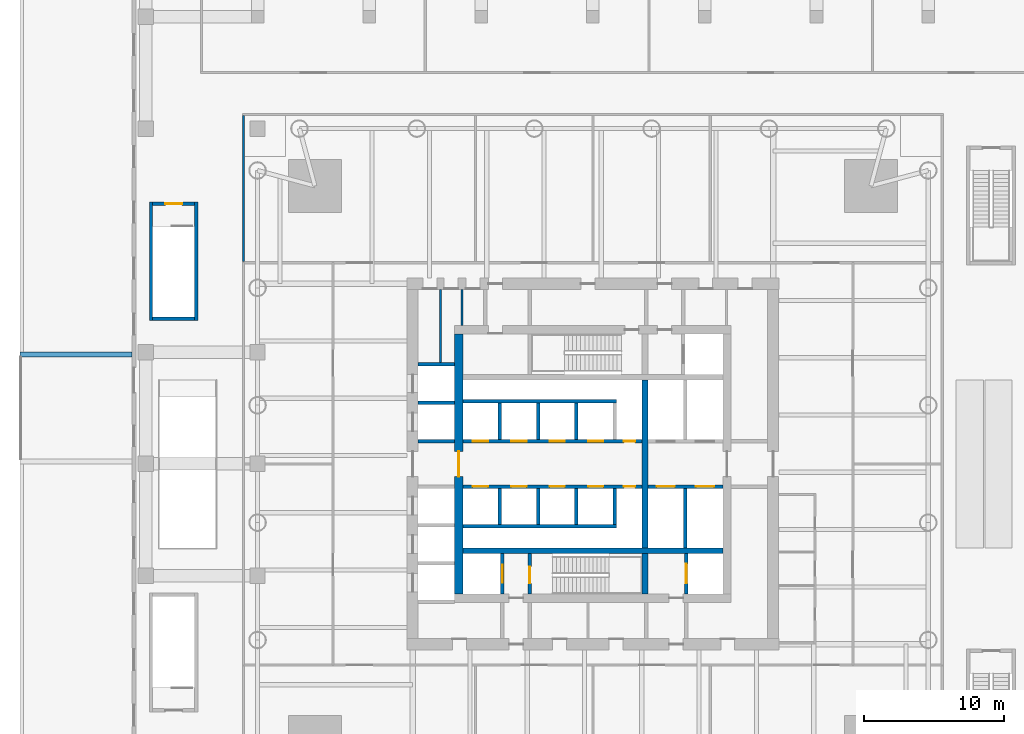
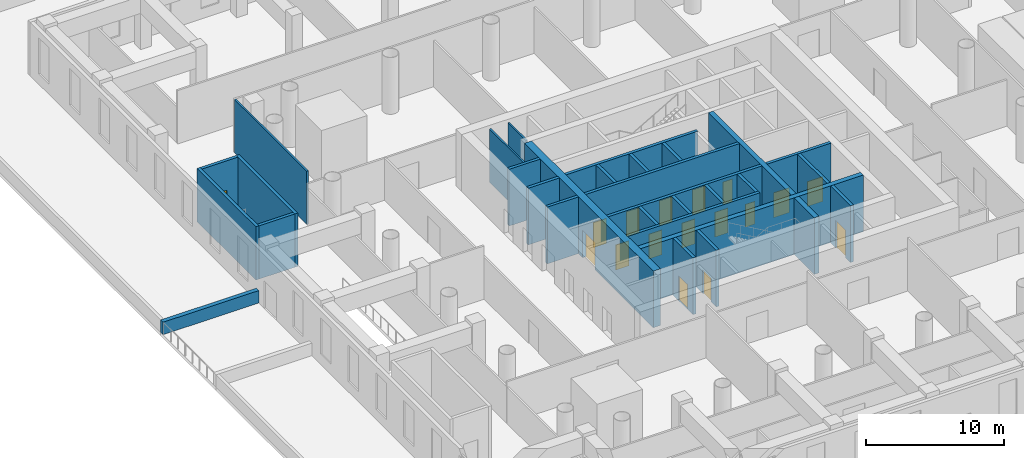
# One storey, part 11 of 26: 31 walls, 17 doors, 17 openings.
"""IFC4 building model written with IfcOpenShell, lengths in metres."""

from ifc_helpers import new_model, si_unit, direction, frame, frame_2d, origin, place, context, subcontext, project, spatial, rectangle, extrude, material, layer, layer_set, type_object, element, fill, save


model = new_model("IFC4")

# Units and contexts
model_context = context("Model", 3, precision=1e-05, world=origin(), true_north=direction((0.0, 1.0)))
body_context = subcontext(model_context, "Body", "Model", "MODEL_VIEW")
ifc_project = project(units=[si_unit("LENGTHUNIT", "METRE"), si_unit("AREAUNIT", "SQUARE_METRE"), si_unit("VOLUMEUNIT", "CUBIC_METRE"), si_unit("PLANEANGLEUNIT", "RADIAN"), si_unit("MASSUNIT", "GRAM", prefix="KILO")], contexts=[model_context])

# Site, building, storey
site_placement = place(None, origin())
site = spatial("IfcSite", under=ifc_project, at=site_placement, CompositionType="ELEMENT")
building_placement = place(site_placement, origin())
building = spatial("IfcBuilding", under=site, at=building_placement, Name="Ostroluk Exchange", CompositionType="ELEMENT")
storey_placement = place(building_placement, frame((0.0, 0.0, 6.0)))
storey = spatial("IfcBuildingStorey", under=building, at=storey_placement, Name="L01", CompositionType="ELEMENT", Elevation=6.0)

# Walls
ifc_material_1 = material(Name="Concrete blockwork", Category="masonry")
ifc_layer_1 = layer(ifc_material_1, 0.14990234375)
ifc_layer_set_1 = layer_set([ifc_layer_1], Name="Blockwork plant room wall 150")
wall_type_1 = type_object("IfcWallType", Name="Blockwork plant room wall 150", PredefinedType="SOLIDWALL", material=ifc_layer_set_1)
wall_1_placement = place(storey_placement, frame((34.089599609375, 53.25, 0.0), z_axis=(0.0, 0.0, 1.0), x_axis=(0.0, 1.0, 0.0)))
element("IfcWall", 1, at=wall_1_placement, inside=storey, type_object=wall_type_1, Name="Core room wall", PredefinedType="SOLIDWALL", context=body_context, shape_type="SweptSolid", body=[
    extrude(rectangle(XDim=5.25, YDim=0.14990234375, at=frame_2d((2.625, 0.0))), origin(), (0.0, 0.0, 1.0), 4.699951171875),
])
wall_2_placement = place(storey_placement, frame((35.63232421875, 55.89990234375, 0.0), z_axis=(0.0, 0.0, 1.0), x_axis=(0.0, 1.0, 0.0)))
element("IfcWall", 2, at=wall_2_placement, inside=storey, type_object=wall_type_1, Name="Core room wall", PredefinedType="SOLIDWALL", context=body_context, shape_type="SweptSolid", body=[
    extrude(rectangle(XDim=2.60009765625, YDim=0.14990234375, at=frame_2d((1.300048828125, 0.0))), origin(), (0.0, 0.0, 1.0), 4.699951171875),
])
ifc_material_2 = material(Name="Concrete blockwork", Category="masonry")
ifc_layer_2 = layer(ifc_material_2, 0.25)
ifc_layer_set_2 = layer_set([ifc_layer_2], Name="Blockwork stair enclosure wall 250")
wall_type_2 = type_object("IfcWallType", Name="Blockwork stair enclosure wall 250", PredefinedType="SOLIDWALL", material=ifc_layer_set_2)
for number, where, z_axis, x_axis, name in (
    (3, (13.375, 56.25, 0.0), (0.0, 0.0, 1.0), (0.0, 1.0, 0.0), "Stair PS2 enclosure wall"),
    (4, (16.625, 56.25, 0.0), (0.0, 0.0, 1.0), (0.0, 1.0, 0.0), "Stair PS2 enclosure wall"),
):
    element("IfcWall", number, at=place(storey_placement, frame(where, z_axis=z_axis, x_axis=x_axis)), inside=storey, type_object=wall_type_2, Name=name, PredefinedType="SOLIDWALL", context=body_context, shape_type="SweptSolid", body=[
        extrude(rectangle(XDim=8.5, YDim=0.25, at=frame_2d((4.25, 0.0))), origin(), (0.0, 0.0, 1.0), 4.699951171875),
    ])
wall_3_placement = place(storey_placement, frame((13.5, 56.375, 0.0), z_axis=(0.0, 0.0, 1.0), x_axis=(1.0, 0.0, 0.0)))
element("IfcWall", 5, at=wall_3_placement, inside=storey, type_object=wall_type_2, Name="Stair PS2 enclosure wall", PredefinedType="SOLIDWALL", context=body_context, shape_type="SweptSolid", body=[
    extrude(rectangle(XDim=3.0, YDim=0.25, at=frame_2d((1.5, 0.0))), origin(), (0.0, 0.0, 1.0), 4.699951171875),
])

# Wall, opening, door
wall_4_placement = place(storey_placement, frame((13.5, 64.625, 0.0), z_axis=(0.0, 0.0, 1.0), x_axis=(1.0, 0.0, 0.0)))
wall_4 = element("IfcWall", 6, at=wall_4_placement, inside=storey, type_object=wall_type_2, Name="Stair PS2 enclosure wall", PredefinedType="SOLIDWALL", context=body_context, shape_type="SweptSolid", body=[
    extrude(rectangle(XDim=3.0, YDim=0.25, at=frame_2d((1.5, 0.0))), origin(), (0.0, 0.0, 1.0), 4.699951171875),
])
opening_1_placement = place(wall_4_placement, frame((0.89990234375, 0.0, 0.0)))
opening_1 = element("IfcOpeningElement", 7, at=opening_1_placement, cuts=wall_4, Name="Opening FD60S", PredefinedType="OPENING", context=body_context, shape_type="SweptSolid", body=[
    extrude(rectangle(XDim=1.199951171875, YDim=2.10009765625, at=frame_2d((0.60009765625, 1.050048828125))), frame((0.0, 0.135009765625, 0.0), z_axis=(0.0, -1.0, 0.0), x_axis=(1.0, 0.0, 0.0)), (0.0, 0.0, 1.0), 0.27001953125),
])
ifc_material_3 = material(Name="Steel", Category="steel")
door_type_1 = type_object("IfcDoorType", Name="Stair door EI 60 1200 x 2100", OperationType="SINGLE_SWING_LEFT", PredefinedType="DOOR", material=ifc_material_3)
door_1_placement = place(opening_1_placement, origin())
door_1 = element("IfcDoor", 8, at=door_1_placement, inside=storey, type_object=door_type_1, Name="Stair PS2 door", OperationType="SINGLE_SWING_LEFT", OverallHeight=2.10009765625, OverallWidth=1.199951171875, PredefinedType="DOOR", context=body_context, shape_type="SweptSolid", body=[
    extrude(rectangle(XDim=1.199951171875, YDim=2.10009765625, at=frame_2d((0.60009765625, 1.050048828125))), frame((0.0, 0.02490234375, 0.0), z_axis=(0.0, -1.0, 0.0), x_axis=(1.0, 0.0, 0.0)), (0.0, 0.0, 1.0), 0.050048828125),
])
fill(opening_1, door_1)

# Walls
ifc_material_4 = material(Name="Concrete C50/60", Category="concrete")
ifc_layer_3 = layer(ifc_material_4, 0.39990234375)
ifc_layer_set_3 = layer_set([ifc_layer_3], Name="Core cross wall 400 C50/60")
wall_type_3 = type_object("IfcWallType", Name="Core cross wall 400 C50/60", PredefinedType="SHEAR", material=ifc_layer_set_3)
wall_5_placement = place(storey_placement, frame((35.699951171875, 39.800048828125, 0.0), z_axis=(0.0, 0.0, 1.0), x_axis=(1.0, 0.0, 0.0)))
element("IfcWall", 9, at=wall_5_placement, inside=storey, type_object=wall_type_3, Name="T1 core wall XS", PredefinedType="SHEAR", context=body_context, shape_type="SweptSolid", body=[
    extrude(rectangle(XDim=18.60009765625, YDim=0.39990234375, at=frame_2d((9.300048828125, 0.0))), origin(), (0.0, 0.0, 1.0), 5.0),
])
wall_6_placement = place(storey_placement, frame((48.72998046875, 36.699951171875, 0.0), z_axis=(0.0, 0.0, 1.0), x_axis=(0.0, 1.0, 0.0)))
element("IfcWall", 10, at=wall_6_placement, inside=storey, type_object=wall_type_3, Name="T1 core wall YE1", PredefinedType="SHEAR", context=body_context, shape_type="SweptSolid", body=[
    extrude(rectangle(XDim=2.900146484375, YDim=0.39990234375, at=frame_2d((1.4501953125, 0.0))), origin(), (0.0, 0.0, 1.0), 5.0),
])
wall_7_placement = place(storey_placement, frame((48.72998046875, 40.0, 0.0), z_axis=(0.0, 0.0, 1.0), x_axis=(0.0, 1.0, 0.0)))
element("IfcWall", 11, at=wall_7_placement, inside=storey, type_object=wall_type_3, Name="T1 core wall YE2", PredefinedType="SHEAR", context=body_context, shape_type="SweptSolid", body=[
    extrude(rectangle(XDim=12.0, YDim=0.39990234375, at=frame_2d((6.0, 0.0))), origin(), (0.0, 0.0, 1.0), 5.0),
])

# Wall, opening, door
ifc_material_5 = material(Name="Concrete C40/50", Category="concrete")
ifc_layer_4 = layer(ifc_material_5, 0.25)
ifc_layer_set_4 = layer_set([ifc_layer_4], Name="Core shaft wall 250")
wall_type_4 = type_object("IfcWallType", Name="Core shaft wall 250", PredefinedType="SHEAR", material=ifc_layer_set_4)
wall_8_placement = place(storey_placement, frame((38.52490234375, 36.699951171875, 0.0), z_axis=(0.0, 0.0, 1.0), x_axis=(0.0, 1.0, 0.0)))
wall_8 = element("IfcWall", 12, at=wall_8_placement, inside=storey, type_object=wall_type_4, Name="Firefighting lift shaft wall", PredefinedType="SHEAR", context=body_context, shape_type="SweptSolid", body=[
    extrude(rectangle(XDim=2.900146484375, YDim=0.25, at=frame_2d((1.4501953125, 0.0))), origin(), (0.0, 0.0, 1.0), 5.0),
])
opening_2_placement = place(wall_8_placement, frame((0.800048828125, 0.0, 0.0)))
opening_2 = element("IfcOpeningElement", 13, at=opening_2_placement, cuts=wall_8, Name="Opening LD2", PredefinedType="OPENING", context=body_context, shape_type="SweptSolid", body=[
    extrude(rectangle(XDim=1.300048828125, YDim=2.199951171875, at=frame_2d((0.64990234375, 1.10009765625))), frame((0.0, 0.135009765625, 0.0), z_axis=(0.0, -1.0, 0.0), x_axis=(1.0, 0.0, 0.0)), (0.0, 0.0, 1.0), 0.27001953125),
])
ifc_material_6 = material(Name="Stainless steel", Category="steel")
door_type_2 = type_object("IfcDoorType", Name="Lift landing door E 60 1300 x 2200", OperationType="DOUBLE_DOOR_SLIDING", PredefinedType="DOOR", material=ifc_material_6)
door_2_placement = place(opening_2_placement, origin())
door_2 = element("IfcDoor", 14, at=door_2_placement, inside=storey, type_object=door_type_2, Name="Lift FL1 landing door", OperationType="DOUBLE_DOOR_SLIDING", OverallHeight=2.199951171875, OverallWidth=1.300048828125, PredefinedType="DOOR", context=body_context, shape_type="SweptSolid", body=[
    extrude(rectangle(XDim=1.300048828125, YDim=2.199951171875, at=frame_2d((0.64990234375, 1.10009765625))), frame((0.0, 0.02490234375, 0.0), z_axis=(0.0, -1.0, 0.0), x_axis=(1.0, 0.0, 0.0)), (0.0, 0.0, 1.0), 0.050048828125),
])
fill(opening_2, door_2)

wall_9_placement = place(storey_placement, frame((40.47509765625, 36.699951171875, 0.0), z_axis=(0.0, 0.0, 1.0), x_axis=(0.0, 1.0, 0.0)))
wall_9 = element("IfcWall", 15, at=wall_9_placement, inside=storey, type_object=wall_type_4, Name="Stair shaft wall", PredefinedType="SHEAR", context=body_context, shape_type="SweptSolid", body=[
    extrude(rectangle(XDim=2.900146484375, YDim=0.25, at=frame_2d((1.4501953125, 0.0))), origin(), (0.0, 0.0, 1.0), 5.0),
])
opening_3_placement = place(wall_9_placement, frame((0.75, 0.0, 0.0)))
opening_3 = element("IfcOpeningElement", 16, at=opening_3_placement, cuts=wall_9, Name="Opening FD60S", PredefinedType="OPENING", context=body_context, shape_type="SweptSolid", body=[
    extrude(rectangle(XDim=1.199951171875, YDim=2.10009765625, at=frame_2d((0.60009765625, 1.050048828125))), frame((0.0, 0.135009765625, 0.0), z_axis=(0.0, -1.0, 0.0), x_axis=(1.0, 0.0, 0.0)), (0.0, 0.0, 1.0), 0.27001953125),
])
door_3_placement = place(opening_3_placement, origin())
door_3 = element("IfcDoor", 17, at=door_3_placement, inside=storey, type_object=door_type_1, Name="Stair T1-S1 door", OperationType="SINGLE_SWING_LEFT", OverallHeight=2.10009765625, OverallWidth=1.199951171875, PredefinedType="DOOR", context=body_context, shape_type="SweptSolid", body=[
    extrude(rectangle(XDim=1.199951171875, YDim=2.10009765625, at=frame_2d((0.60009765625, 1.050048828125))), frame((0.0, 0.02490234375, 0.0), z_axis=(0.0, -1.0, 0.0), x_axis=(1.0, 0.0, 0.0)), (0.0, 0.0, 1.0), 0.050048828125),
])
fill(opening_3, door_3)

wall_10_placement = place(storey_placement, frame((51.675048828125, 36.699951171875, 0.0), z_axis=(0.0, 0.0, 1.0), x_axis=(0.0, 1.0, 0.0)))
wall_10 = element("IfcWall", 18, at=wall_10_placement, inside=storey, type_object=wall_type_4, Name="Service lift shaft wall", PredefinedType="SHEAR", context=body_context, shape_type="SweptSolid", body=[
    extrude(rectangle(XDim=2.900146484375, YDim=0.25, at=frame_2d((1.4501953125, 0.0))), origin(), (0.0, 0.0, 1.0), 5.0),
])
opening_4_placement = place(wall_10_placement, frame((0.75, 0.0, 0.0)))
opening_4 = element("IfcOpeningElement", 19, at=opening_4_placement, cuts=wall_10, Name="Opening LD3", PredefinedType="OPENING", context=body_context, shape_type="SweptSolid", body=[
    extrude(rectangle(XDim=1.39990234375, YDim=2.39990234375, at=frame_2d((0.699951171875, 1.199951171875))), frame((0.0, 0.135009765625, 0.0), z_axis=(0.0, -1.0, 0.0), x_axis=(1.0, 0.0, 0.0)), (0.0, 0.0, 1.0), 0.27001953125),
])
ifc_material_7 = material(Name="Stainless steel", Category="steel")
door_type_3 = type_object("IfcDoorType", Name="Goods lift landing door E 60 1400 x 2400", OperationType="DOUBLE_DOOR_SLIDING", PredefinedType="DOOR", material=ifc_material_7)
door_4_placement = place(opening_4_placement, origin())
door_4 = element("IfcDoor", 20, at=door_4_placement, inside=storey, type_object=door_type_3, Name="Lift SL1 landing door", OperationType="DOUBLE_DOOR_SLIDING", OverallHeight=2.39990234375, OverallWidth=1.39990234375, PredefinedType="DOOR", context=body_context, shape_type="SweptSolid", body=[
    extrude(rectangle(XDim=1.39990234375, YDim=2.39990234375, at=frame_2d((0.699951171875, 1.199951171875))), frame((0.0, 0.02490234375, 0.0), z_axis=(0.0, -1.0, 0.0), x_axis=(1.0, 0.0, 0.0)), (0.0, 0.0, 1.0), 0.050048828125),
])
fill(opening_4, door_4)

# Walls
for number, where, z_axis, x_axis, name in (
    (21, (38.324951171875, 47.75, 0.0), (0.0, 0.0, 1.0), (0.0, 1.0, 0.0), "Lift shaft wall"),
    (22, (41.074951171875, 47.75, 0.0), (0.0, 0.0, 1.0), (0.0, 1.0, 0.0), "Lift shaft wall"),
    (23, (43.824951171875, 47.75, 0.0), (0.0, 0.0, 1.0), (0.0, 1.0, 0.0), "Lift shaft wall"),
):
    element("IfcWall", number, at=place(storey_placement, frame(where, z_axis=z_axis, x_axis=x_axis)), inside=storey, type_object=wall_type_4, Name=name, PredefinedType="SHEAR", context=body_context, shape_type="SweptSolid", body=[
        extrude(rectangle(XDim=2.60009765625, YDim=0.25, at=frame_2d((1.300048828125, 0.0))), origin(), (0.0, 0.0, 1.0), 5.0),
    ])
wall_11_placement = place(storey_placement, frame((35.699951171875, 50.47509765625, 0.0), z_axis=(0.0, 0.0, 1.0), x_axis=(1.0, 0.0, 0.0)))
element("IfcWall", 24, at=wall_11_placement, inside=storey, type_object=wall_type_4, Name="Lift shaft wall", PredefinedType="SHEAR", context=body_context, shape_type="SweptSolid", body=[
    extrude(rectangle(XDim=11.0, YDim=0.25, at=frame_2d((5.5, 0.0))), origin(), (0.0, 0.0, 1.0), 5.0),
])

# Wall, openings, doors
wall_12_placement = place(storey_placement, frame((35.699951171875, 47.625, 0.0), z_axis=(0.0, 0.0, 1.0), x_axis=(1.0, 0.0, 0.0)))
wall_12 = element("IfcWall", 25, at=wall_12_placement, inside=storey, type_object=wall_type_4, Name="Lift shaft front wall", PredefinedType="SHEAR", context=body_context, shape_type="SweptSolid", body=[
    extrude(rectangle(XDim=12.830078125, YDim=0.25, at=frame_2d((6.4150390625, 0.0))), origin(), (0.0, 0.0, 1.0), 5.0),
])
opening_5_placement = place(wall_12_placement, frame((0.699951171875, 0.0, 0.0)))
opening_5 = element("IfcOpeningElement", 26, at=opening_5_placement, cuts=wall_12, Name="Opening LD", PredefinedType="OPENING", context=body_context, shape_type="SweptSolid", body=[
    extrude(rectangle(XDim=1.10009765625, YDim=2.199951171875, at=frame_2d((0.550048828125, 1.10009765625))), frame((0.0, 0.135009765625, 0.0), z_axis=(0.0, -1.0, 0.0), x_axis=(1.0, 0.0, 0.0)), (0.0, 0.0, 1.0), 0.27001953125),
])
opening_6_placement = place(wall_12_placement, frame((3.449951171875, 0.0, 0.0)))
opening_6 = element("IfcOpeningElement", 27, at=opening_6_placement, cuts=wall_12, Name="Opening LD", PredefinedType="OPENING", context=body_context, shape_type="SweptSolid", body=[
    extrude(rectangle(XDim=1.10009765625, YDim=2.199951171875, at=frame_2d((0.550048828125, 1.10009765625))), frame((0.0, 0.135009765625, 0.0), z_axis=(0.0, -1.0, 0.0), x_axis=(1.0, 0.0, 0.0)), (0.0, 0.0, 1.0), 0.27001953125),
])
opening_7_placement = place(wall_12_placement, frame((6.199951171875, 0.0, 0.0)))
opening_7 = element("IfcOpeningElement", 28, at=opening_7_placement, cuts=wall_12, Name="Opening LD", PredefinedType="OPENING", context=body_context, shape_type="SweptSolid", body=[
    extrude(rectangle(XDim=1.10009765625, YDim=2.199951171875, at=frame_2d((0.550048828125, 1.10009765625))), frame((0.0, 0.135009765625, 0.0), z_axis=(0.0, -1.0, 0.0), x_axis=(1.0, 0.0, 0.0)), (0.0, 0.0, 1.0), 0.27001953125),
])
opening_8_placement = place(wall_12_placement, frame((8.949951171875, 0.0, 0.0)))
opening_8 = element("IfcOpeningElement", 29, at=opening_8_placement, cuts=wall_12, Name="Opening LD", PredefinedType="OPENING", context=body_context, shape_type="SweptSolid", body=[
    extrude(rectangle(XDim=1.10009765625, YDim=2.199951171875, at=frame_2d((0.550048828125, 1.10009765625))), frame((0.0, 0.135009765625, 0.0), z_axis=(0.0, -1.0, 0.0), x_axis=(1.0, 0.0, 0.0)), (0.0, 0.0, 1.0), 0.27001953125),
])
opening_9_placement = place(wall_12_placement, frame((11.514892578125, 0.0, 0.0)))
opening_9 = element("IfcOpeningElement", 30, at=opening_9_placement, cuts=wall_12, Name="Opening RD60", PredefinedType="OPENING", context=body_context, shape_type="SweptSolid", body=[
    extrude(rectangle(XDim=0.800048828125, YDim=2.0, at=frame_2d((0.39990234375, 1.0))), frame((0.0, 0.135009765625, 0.0), z_axis=(0.0, -1.0, 0.0), x_axis=(1.0, 0.0, 0.0)), (0.0, 0.0, 1.0), 0.27001953125),
])
ifc_material_8 = material(Name="Stainless steel", Category="steel")
door_type_4 = type_object("IfcDoorType", Name="Lift landing door E 60 1100 x 2200", OperationType="DOUBLE_DOOR_SLIDING", PredefinedType="DOOR", material=ifc_material_8)
door_5_placement = place(opening_5_placement, origin())
door_5 = element("IfcDoor", 31, at=door_5_placement, inside=storey, type_object=door_type_4, Name="Lift PL-L1 landing door", OperationType="DOUBLE_DOOR_SLIDING", OverallHeight=2.199951171875, OverallWidth=1.10009765625, PredefinedType="DOOR", context=body_context, shape_type="SweptSolid", body=[
    extrude(rectangle(XDim=1.10009765625, YDim=2.199951171875, at=frame_2d((0.550048828125, 1.10009765625))), frame((0.0, 0.02490234375, 0.0), z_axis=(0.0, -1.0, 0.0), x_axis=(1.0, 0.0, 0.0)), (0.0, 0.0, 1.0), 0.050048828125),
])
fill(opening_5, door_5)
door_6_placement = place(opening_6_placement, origin())
door_6 = element("IfcDoor", 32, at=door_6_placement, inside=storey, type_object=door_type_4, Name="Lift PL-L2 landing door", OperationType="DOUBLE_DOOR_SLIDING", OverallHeight=2.199951171875, OverallWidth=1.10009765625, PredefinedType="DOOR", context=body_context, shape_type="SweptSolid", body=[
    extrude(rectangle(XDim=1.10009765625, YDim=2.199951171875, at=frame_2d((0.550048828125, 1.10009765625))), frame((0.0, 0.02490234375, 0.0), z_axis=(0.0, -1.0, 0.0), x_axis=(1.0, 0.0, 0.0)), (0.0, 0.0, 1.0), 0.050048828125),
])
fill(opening_6, door_6)
door_7_placement = place(opening_7_placement, origin())
door_7 = element("IfcDoor", 33, at=door_7_placement, inside=storey, type_object=door_type_4, Name="Lift PL-L3 landing door", OperationType="DOUBLE_DOOR_SLIDING", OverallHeight=2.199951171875, OverallWidth=1.10009765625, PredefinedType="DOOR", context=body_context, shape_type="SweptSolid", body=[
    extrude(rectangle(XDim=1.10009765625, YDim=2.199951171875, at=frame_2d((0.550048828125, 1.10009765625))), frame((0.0, 0.02490234375, 0.0), z_axis=(0.0, -1.0, 0.0), x_axis=(1.0, 0.0, 0.0)), (0.0, 0.0, 1.0), 0.050048828125),
])
fill(opening_7, door_7)
door_8_placement = place(opening_8_placement, origin())
door_8 = element("IfcDoor", 34, at=door_8_placement, inside=storey, type_object=door_type_4, Name="Lift PL-L4 landing door", OperationType="DOUBLE_DOOR_SLIDING", OverallHeight=2.199951171875, OverallWidth=1.10009765625, PredefinedType="DOOR", context=body_context, shape_type="SweptSolid", body=[
    extrude(rectangle(XDim=1.10009765625, YDim=2.199951171875, at=frame_2d((0.550048828125, 1.10009765625))), frame((0.0, 0.02490234375, 0.0), z_axis=(0.0, -1.0, 0.0), x_axis=(1.0, 0.0, 0.0)), (0.0, 0.0, 1.0), 0.050048828125),
])
fill(opening_8, door_8)
ifc_material_9 = material(Name="Steel", Category="steel")
door_type_5 = type_object("IfcDoorType", Name="Riser access door EI 60 800 x 2000", OperationType="SINGLE_SWING_LEFT", PredefinedType="DOOR", material=ifc_material_9)
door_9_placement = place(opening_9_placement, origin())
door_9 = element("IfcDoor", 35, at=door_9_placement, inside=storey, type_object=door_type_5, Name="Riser access door", OperationType="SINGLE_SWING_RIGHT", OverallHeight=2.0, OverallWidth=0.800048828125, PredefinedType="DOOR", context=body_context, shape_type="SweptSolid", body=[
    extrude(rectangle(XDim=0.800048828125, YDim=2.0, at=frame_2d((0.39990234375, 1.0))), frame((0.0, 0.02490234375, 0.0), z_axis=(0.0, -1.0, 0.0), x_axis=(1.0, 0.0, 0.0)), (0.0, 0.0, 1.0), 0.050048828125),
])
fill(opening_9, door_9)

# Walls
for number, where, z_axis, x_axis, name in (
    (36, (38.324951171875, 44.25, 0.0), (0.0, 0.0, 1.0), (0.0, -1.0, 0.0), "Lift shaft wall"),
    (37, (41.074951171875, 44.25, 0.0), (0.0, 0.0, 1.0), (0.0, -1.0, 0.0), "Lift shaft wall"),
    (38, (43.824951171875, 44.25, 0.0), (0.0, 0.0, 1.0), (0.0, -1.0, 0.0), "Lift shaft wall"),
    (39, (46.574951171875, 44.25, 0.0), (0.0, 0.0, 1.0), (0.0, -1.0, 0.0), "Lift shaft wall"),
):
    element("IfcWall", number, at=place(storey_placement, frame(where, z_axis=z_axis, x_axis=x_axis)), inside=storey, type_object=wall_type_4, Name=name, PredefinedType="SHEAR", context=body_context, shape_type="SweptSolid", body=[
        extrude(rectangle(XDim=2.60009765625, YDim=0.25, at=frame_2d((1.300048828125, 0.0))), origin(), (0.0, 0.0, 1.0), 5.0),
    ])
wall_13_placement = place(storey_placement, frame((35.699951171875, 41.52490234375, 0.0), z_axis=(0.0, 0.0, 1.0), x_axis=(1.0, 0.0, 0.0)))
element("IfcWall", 40, at=wall_13_placement, inside=storey, type_object=wall_type_4, Name="Lift shaft wall", PredefinedType="SHEAR", context=body_context, shape_type="SweptSolid", body=[
    extrude(rectangle(XDim=11.0, YDim=0.25, at=frame_2d((5.5, 0.0))), origin(), (0.0, 0.0, 1.0), 5.0),
])

# Wall, openings, doors
wall_14_placement = place(storey_placement, frame((35.699951171875, 44.375, 0.0), z_axis=(0.0, 0.0, 1.0), x_axis=(1.0, 0.0, 0.0)))
wall_14 = element("IfcWall", 41, at=wall_14_placement, inside=storey, type_object=wall_type_4, Name="Lift shaft front wall", PredefinedType="SHEAR", context=body_context, shape_type="SweptSolid", body=[
    extrude(rectangle(XDim=12.830078125, YDim=0.25, at=frame_2d((6.4150390625, 0.0))), origin(), (0.0, 0.0, 1.0), 5.0),
])
opening_10_placement = place(wall_14_placement, frame((0.699951171875, 0.0, 0.0)))
opening_10 = element("IfcOpeningElement", 42, at=opening_10_placement, cuts=wall_14, Name="Opening LD", PredefinedType="OPENING", context=body_context, shape_type="SweptSolid", body=[
    extrude(rectangle(XDim=1.10009765625, YDim=2.199951171875, at=frame_2d((0.550048828125, 1.10009765625))), frame((0.0, 0.135009765625, 0.0), z_axis=(0.0, -1.0, 0.0), x_axis=(1.0, 0.0, 0.0)), (0.0, 0.0, 1.0), 0.27001953125),
])
opening_11_placement = place(wall_14_placement, frame((3.449951171875, 0.0, 0.0)))
opening_11 = element("IfcOpeningElement", 43, at=opening_11_placement, cuts=wall_14, Name="Opening LD", PredefinedType="OPENING", context=body_context, shape_type="SweptSolid", body=[
    extrude(rectangle(XDim=1.10009765625, YDim=2.199951171875, at=frame_2d((0.550048828125, 1.10009765625))), frame((0.0, 0.135009765625, 0.0), z_axis=(0.0, -1.0, 0.0), x_axis=(1.0, 0.0, 0.0)), (0.0, 0.0, 1.0), 0.27001953125),
])
opening_12_placement = place(wall_14_placement, frame((6.199951171875, 0.0, 0.0)))
opening_12 = element("IfcOpeningElement", 44, at=opening_12_placement, cuts=wall_14, Name="Opening LD", PredefinedType="OPENING", context=body_context, shape_type="SweptSolid", body=[
    extrude(rectangle(XDim=1.10009765625, YDim=2.199951171875, at=frame_2d((0.550048828125, 1.10009765625))), frame((0.0, 0.135009765625, 0.0), z_axis=(0.0, -1.0, 0.0), x_axis=(1.0, 0.0, 0.0)), (0.0, 0.0, 1.0), 0.27001953125),
])
opening_13_placement = place(wall_14_placement, frame((8.949951171875, 0.0, 0.0)))
opening_13 = element("IfcOpeningElement", 45, at=opening_13_placement, cuts=wall_14, Name="Opening LD", PredefinedType="OPENING", context=body_context, shape_type="SweptSolid", body=[
    extrude(rectangle(XDim=1.10009765625, YDim=2.199951171875, at=frame_2d((0.550048828125, 1.10009765625))), frame((0.0, 0.135009765625, 0.0), z_axis=(0.0, -1.0, 0.0), x_axis=(1.0, 0.0, 0.0)), (0.0, 0.0, 1.0), 0.27001953125),
])
opening_14_placement = place(wall_14_placement, frame((11.514892578125, 0.0, 0.0)))
opening_14 = element("IfcOpeningElement", 46, at=opening_14_placement, cuts=wall_14, Name="Opening RD60", PredefinedType="OPENING", context=body_context, shape_type="SweptSolid", body=[
    extrude(rectangle(XDim=0.800048828125, YDim=2.0, at=frame_2d((0.39990234375, 1.0))), frame((0.0, 0.135009765625, 0.0), z_axis=(0.0, -1.0, 0.0), x_axis=(1.0, 0.0, 0.0)), (0.0, 0.0, 1.0), 0.27001953125),
])
door_10_placement = place(opening_10_placement, origin())
door_10 = element("IfcDoor", 47, at=door_10_placement, inside=storey, type_object=door_type_4, Name="Lift PL-L5 landing door", OperationType="DOUBLE_DOOR_SLIDING", OverallHeight=2.199951171875, OverallWidth=1.10009765625, PredefinedType="DOOR", context=body_context, shape_type="SweptSolid", body=[
    extrude(rectangle(XDim=1.10009765625, YDim=2.199951171875, at=frame_2d((0.550048828125, 1.10009765625))), frame((0.0, 0.02490234375, 0.0), z_axis=(0.0, -1.0, 0.0), x_axis=(1.0, 0.0, 0.0)), (0.0, 0.0, 1.0), 0.050048828125),
])
fill(opening_10, door_10)
door_11_placement = place(opening_11_placement, origin())
door_11 = element("IfcDoor", 48, at=door_11_placement, inside=storey, type_object=door_type_4, Name="Lift PL-L6 landing door", OperationType="DOUBLE_DOOR_SLIDING", OverallHeight=2.199951171875, OverallWidth=1.10009765625, PredefinedType="DOOR", context=body_context, shape_type="SweptSolid", body=[
    extrude(rectangle(XDim=1.10009765625, YDim=2.199951171875, at=frame_2d((0.550048828125, 1.10009765625))), frame((0.0, 0.02490234375, 0.0), z_axis=(0.0, -1.0, 0.0), x_axis=(1.0, 0.0, 0.0)), (0.0, 0.0, 1.0), 0.050048828125),
])
fill(opening_11, door_11)
door_12_placement = place(opening_12_placement, origin())
door_12 = element("IfcDoor", 49, at=door_12_placement, inside=storey, type_object=door_type_4, Name="Lift PL-L7 landing door", OperationType="DOUBLE_DOOR_SLIDING", OverallHeight=2.199951171875, OverallWidth=1.10009765625, PredefinedType="DOOR", context=body_context, shape_type="SweptSolid", body=[
    extrude(rectangle(XDim=1.10009765625, YDim=2.199951171875, at=frame_2d((0.550048828125, 1.10009765625))), frame((0.0, 0.02490234375, 0.0), z_axis=(0.0, -1.0, 0.0), x_axis=(1.0, 0.0, 0.0)), (0.0, 0.0, 1.0), 0.050048828125),
])
fill(opening_12, door_12)
door_13_placement = place(opening_13_placement, origin())
door_13 = element("IfcDoor", 50, at=door_13_placement, inside=storey, type_object=door_type_4, Name="Lift PL-L8 landing door", OperationType="DOUBLE_DOOR_SLIDING", OverallHeight=2.199951171875, OverallWidth=1.10009765625, PredefinedType="DOOR", context=body_context, shape_type="SweptSolid", body=[
    extrude(rectangle(XDim=1.10009765625, YDim=2.199951171875, at=frame_2d((0.550048828125, 1.10009765625))), frame((0.0, 0.02490234375, 0.0), z_axis=(0.0, -1.0, 0.0), x_axis=(1.0, 0.0, 0.0)), (0.0, 0.0, 1.0), 0.050048828125),
])
fill(opening_13, door_13)
door_14_placement = place(opening_14_placement, origin())
door_14 = element("IfcDoor", 51, at=door_14_placement, inside=storey, type_object=door_type_5, Name="Riser access door", OperationType="SINGLE_SWING_RIGHT", OverallHeight=2.0, OverallWidth=0.800048828125, PredefinedType="DOOR", context=body_context, shape_type="SweptSolid", body=[
    extrude(rectangle(XDim=0.800048828125, YDim=2.0, at=frame_2d((0.39990234375, 1.0))), frame((0.0, 0.02490234375, 0.0), z_axis=(0.0, -1.0, 0.0), x_axis=(1.0, 0.0, 0.0)), (0.0, 0.0, 1.0), 0.050048828125),
])
fill(opening_14, door_14)

# Wall
wall_15_placement = place(storey_placement, frame((51.614990234375, 44.25, 0.0), z_axis=(0.0, 0.0, 1.0), x_axis=(0.0, -1.0, 0.0)))
element("IfcWall", 52, at=wall_15_placement, inside=storey, type_object=wall_type_4, Name="Lift shaft wall", PredefinedType="SHEAR", context=body_context, shape_type="SweptSolid", body=[
    extrude(rectangle(XDim=4.25, YDim=0.25, at=frame_2d((2.125, 0.0))), origin(), (0.0, 0.0, 1.0), 5.0),
])

# Wall, openings, doors
wall_16_placement = place(storey_placement, frame((48.929931640625, 44.375, 0.0), z_axis=(0.0, 0.0, 1.0), x_axis=(1.0, 0.0, 0.0)))
wall_16 = element("IfcWall", 53, at=wall_16_placement, inside=storey, type_object=wall_type_4, Name="Lift shaft front wall", PredefinedType="SHEAR", context=body_context, shape_type="SweptSolid", body=[
    extrude(rectangle(XDim=5.3701171875, YDim=0.25, at=frame_2d((2.68505859375, 0.0))), origin(), (0.0, 0.0, 1.0), 5.0),
])
opening_15_placement = place(wall_16_placement, frame((0.6298828125, 0.0, 0.0)))
opening_15 = element("IfcOpeningElement", 54, at=opening_15_placement, cuts=wall_16, Name="Opening LD2", PredefinedType="OPENING", context=body_context, shape_type="SweptSolid", body=[
    extrude(rectangle(XDim=1.300048828125, YDim=2.199951171875, at=frame_2d((0.64990234375, 1.10009765625))), frame((0.0, 0.135009765625, 0.0), z_axis=(0.0, -1.0, 0.0), x_axis=(1.0, 0.0, 0.0)), (0.0, 0.0, 1.0), 0.27001953125),
])
opening_16_placement = place(wall_16_placement, frame((3.43994140625, 0.0, 0.0)))
opening_16 = element("IfcOpeningElement", 55, at=opening_16_placement, cuts=wall_16, Name="Opening LD2", PredefinedType="OPENING", context=body_context, shape_type="SweptSolid", body=[
    extrude(rectangle(XDim=1.300048828125, YDim=2.199951171875, at=frame_2d((0.64990234375, 1.10009765625))), frame((0.0, 0.135009765625, 0.0), z_axis=(0.0, -1.0, 0.0), x_axis=(1.0, 0.0, 0.0)), (0.0, 0.0, 1.0), 0.27001953125),
])
door_15_placement = place(opening_15_placement, origin())
door_15 = element("IfcDoor", 56, at=door_15_placement, inside=storey, type_object=door_type_2, Name="Lift SX3 landing door", OperationType="DOUBLE_DOOR_SLIDING", OverallHeight=2.199951171875, OverallWidth=1.300048828125, PredefinedType="DOOR", context=body_context, shape_type="SweptSolid", body=[
    extrude(rectangle(XDim=1.300048828125, YDim=2.199951171875, at=frame_2d((0.64990234375, 1.10009765625))), frame((0.0, 0.02490234375, 0.0), z_axis=(0.0, -1.0, 0.0), x_axis=(1.0, 0.0, 0.0)), (0.0, 0.0, 1.0), 0.050048828125),
])
fill(opening_15, door_15)
door_16_placement = place(opening_16_placement, origin())
door_16 = element("IfcDoor", 57, at=door_16_placement, inside=storey, type_object=door_type_2, Name="Lift SX4 landing door", OperationType="DOUBLE_DOOR_SLIDING", OverallHeight=2.199951171875, OverallWidth=1.300048828125, PredefinedType="DOOR", context=body_context, shape_type="SweptSolid", body=[
    extrude(rectangle(XDim=1.300048828125, YDim=2.199951171875, at=frame_2d((0.64990234375, 1.10009765625))), frame((0.0, 0.02490234375, 0.0), z_axis=(0.0, -1.0, 0.0), x_axis=(1.0, 0.0, 0.0)), (0.0, 0.0, 1.0), 0.050048828125),
])
fill(opening_16, door_16)

# Walls
for number, where, z_axis, x_axis, name in (
    (58, (32.5, 47.625, 0.0), (0.0, 0.0, 1.0), (1.0, 0.0, 0.0), "Lift shaft wall"),
    (59, (32.5, 50.375, 0.0), (0.0, 0.0, 1.0), (1.0, 0.0, 0.0), "Lift shaft wall"),
    (60, (32.5, 53.125, 0.0), (0.0, 0.0, 1.0), (1.0, 0.0, 0.0), "Lift shaft wall"),
):
    element("IfcWall", number, at=place(storey_placement, frame(where, z_axis=z_axis, x_axis=x_axis)), inside=storey, type_object=wall_type_4, Name=name, PredefinedType="SHEAR", context=body_context, shape_type="SweptSolid", body=[
        extrude(rectangle(XDim=2.60009765625, YDim=0.25, at=frame_2d((1.300048828125, 0.0))), origin(), (0.0, 0.0, 1.0), 5.0),
    ])

# Wall, opening, door
ifc_material_10 = material(Name="Concrete C50/60", Category="concrete")
ifc_layer_5 = layer(ifc_material_10, 0.60009765625)
ifc_layer_set_5 = layer_set([ifc_layer_5], Name="Core wall 600 C50/60")
wall_type_5 = type_object("IfcWallType", Name="Core wall 600 C50/60", PredefinedType="SHEAR", material=ifc_layer_set_5)
wall_17_placement = place(storey_placement, frame((35.39990234375, 36.699951171875, 0.0), z_axis=(0.0, 0.0, 1.0), x_axis=(0.0, 1.0, 0.0)))
wall_17 = element("IfcWall", 61, at=wall_17_placement, inside=storey, type_object=wall_type_5, Name="T1 core wall W", PredefinedType="SHEAR", context=body_context, shape_type="SweptSolid", body=[
    extrude(rectangle(XDim=18.60009765625, YDim=0.60009765625, at=frame_2d((9.300048828125, 0.0))), origin(), (0.0, 0.0, 1.0), 5.0),
])
opening_17_placement = place(wall_17_placement, frame((8.39990234375, 0.0, 0.0)))
opening_17 = element("IfcOpeningElement", 62, at=opening_17_placement, cuts=wall_17, Name="Opening FD30D", PredefinedType="OPENING", context=body_context, shape_type="SweptSolid", body=[
    extrude(rectangle(XDim=1.800048828125, YDim=2.39990234375, at=frame_2d((0.89990234375, 1.199951171875))), frame((0.0, 0.31005859375, 0.0), z_axis=(0.0, -1.0, 0.0), x_axis=(1.0, 0.0, 0.0)), (0.0, 0.0, 1.0), 0.6201171875),
])
ifc_material_11 = material(Name="Timber", Category="wood")
door_type_6 = type_object("IfcDoorType", Name="Lobby double door EI 30 1800 x 2400", OperationType="DOUBLE_DOOR_SINGLE_SWING", PredefinedType="DOOR", material=ifc_material_11)
door_17_placement = place(opening_17_placement, origin())
door_17 = element("IfcDoor", 63, at=door_17_placement, inside=storey, type_object=door_type_6, Name="Lift lobby doors", OperationType="DOUBLE_DOOR_SINGLE_SWING", OverallHeight=2.39990234375, OverallWidth=1.800048828125, PredefinedType="DOOR", context=body_context, shape_type="SweptSolid", body=[
    extrude(rectangle(XDim=1.800048828125, YDim=2.39990234375, at=frame_2d((0.89990234375, 1.199951171875))), frame((0.0, 0.02490234375, 0.0), z_axis=(0.0, -1.0, 0.0), x_axis=(1.0, 0.0, 0.0)), (0.0, 0.0, 1.0), 0.050048828125),
])
fill(opening_17, door_17)

# Walls
ifc_material_12 = material(Name="Limestone", Category="masonry")
ifc_layer_6 = layer(ifc_material_12, 0.35009765625)
ifc_layer_set_6 = layer_set([ifc_layer_6], Name="Planter wall 350")
wall_type_6 = type_object("IfcWallType", Name="Planter wall 350", PredefinedType="PARAPET", material=ifc_layer_set_6)
wall_18_placement = place(storey_placement, frame((4.0, 53.824951171875, 0.0), z_axis=(0.0, 0.0, 1.0), x_axis=(1.0, 0.0, 0.0)))
element("IfcWall", 64, at=wall_18_placement, inside=storey, type_object=wall_type_6, Name="Terrace planter wall L01 2", PredefinedType="PARAPET", context=body_context, shape_type="SweptSolid", body=[
    extrude(rectangle(XDim=8.0, YDim=0.35009765625, at=frame_2d((4.0, 0.0))), origin(), (0.0, 0.0, 1.0), 1.10009765625),
])
ifc_material_13 = material(Name="Gypsum plasterboard partition", Category="gypsum")
ifc_layer_7 = layer(ifc_material_13, 0.14990234375)
ifc_layer_set_7 = layer_set([ifc_layer_7], Name="Plasterboard partition 150")
wall_type_7 = type_object("IfcWallType", Name="Plasterboard partition 150", PredefinedType="PARTITIONING", material=ifc_layer_set_7)
wall_19_placement = place(storey_placement, frame((20.0, 60.47509765625, 0.0), z_axis=(0.0, 0.0, 1.0), x_axis=(0.0, 1.0, 0.0)))
element("IfcWall", 65, at=wall_19_placement, inside=storey, type_object=wall_type_7, Name="Partition", PredefinedType="PARTITIONING", context=body_context, shape_type="SweptSolid", body=[
    extrude(rectangle(XDim=10.449951171875, YDim=0.14990234375, at=frame_2d((5.22509765625, 0.0))), origin(), (0.0, 0.0, 1.0), 4.699951171875),
])

save(model, "model.ifc")
